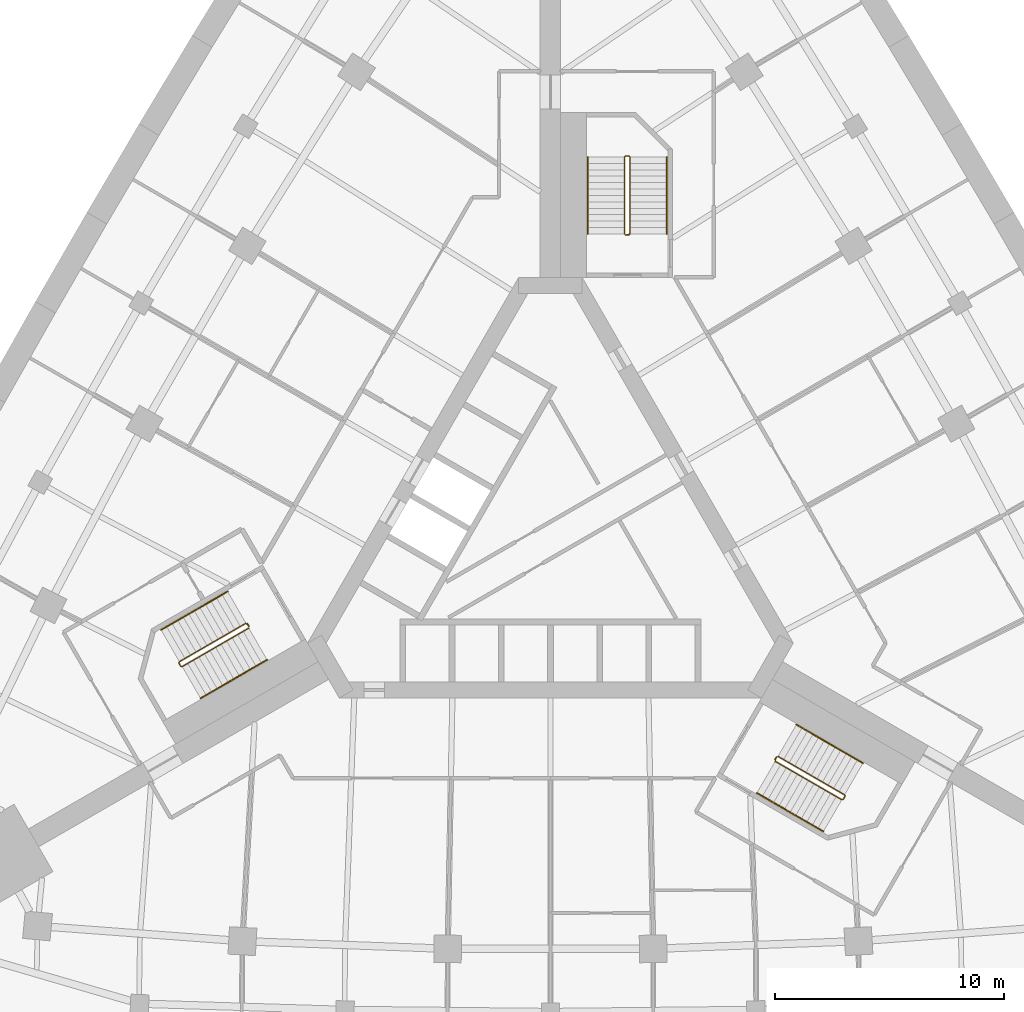
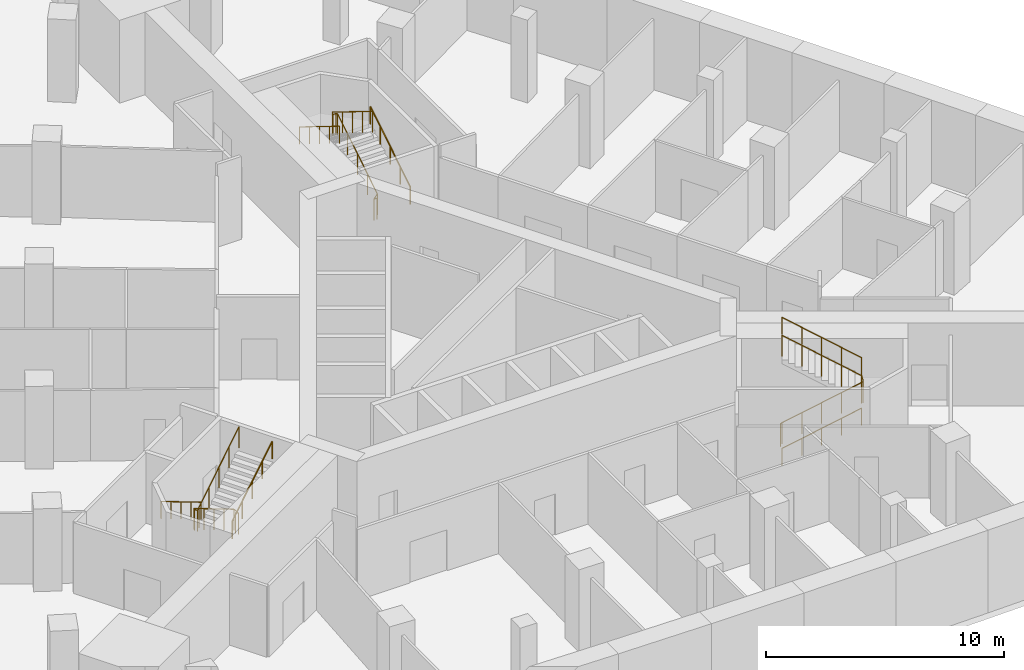
# One storey, part 9 of 9: 9 railings.
"""IFC4 building model written with IfcOpenShell, lengths in metres."""

from ifc_helpers import new_model, si_unit, direction, frame, origin, origin_2d, place, context, subcontext, project, spatial, circle, extrude, material, type_object, element, save


model = new_model("IFC4")

# Units and contexts
model_context = context("Model", 3, precision=1e-05, world=origin(), true_north=direction((0.0, 1.0)))
body_context = subcontext(model_context, "Body", "Model", "MODEL_VIEW")
ifc_project = project(units=[si_unit("LENGTHUNIT", "METRE"), si_unit("AREAUNIT", "SQUARE_METRE"), si_unit("VOLUMEUNIT", "CUBIC_METRE"), si_unit("PLANEANGLEUNIT", "RADIAN"), si_unit("MASSUNIT", "GRAM", prefix="KILO")], contexts=[model_context])

# Site, building, storey
site_placement = place(None, origin())
site = spatial("IfcSite", under=ifc_project, at=site_placement, CompositionType="ELEMENT")
building_placement = place(site_placement, origin())
building = spatial("IfcBuilding", under=site, at=building_placement, Name="Noor Cloister Tower", CompositionType="ELEMENT")
storey_placement = place(building_placement, frame((0.0, 0.0, -4.5)))
storey = spatial("IfcBuildingStorey", under=building, at=storey_placement, Name="B1", CompositionType="ELEMENT", Elevation=-4.5)

# Railings
ifc_material_1 = material(Name="Stainless steel", Category="steel")
railing_type_1 = type_object("IfcRailingType", Name="Stair guard 1100", PredefinedType="GUARDRAIL", material=ifc_material_1)
railing_1_placement = place(storey_placement, frame((3.435546875, 13.306396484375, 0.0)))
element("IfcRailing", 1, at=railing_1_placement, inside=storey, type_object=railing_type_1, Name="Stair guard ST1 B1", PredefinedType="GUARDRAIL", context=body_context, shape_type="SweptSolid", body=[
    extrude(circle(Radius=0.02392578125, at=origin_2d()), frame((0.0, 0.0, 1.076171875), z_axis=(-1.0, 0.0, 0.0), x_axis=(0.0, -1.0, 0.0)), (0.0, 0.0, 1.0), 0.14990234375),
    extrude(circle(Radius=0.02392578125, at=origin_2d()), frame((-0.14990234375, 0.0, 1.076171875), z_axis=(0.742869136974, 0.185944045274, 0.643094283413), x_axis=(-0.242814311512, 0.970072785993, 0.0)), (0.0, 0.0, 1.0), 0.26904296875),
    extrude(circle(Radius=0.02392578125, at=origin_2d()), frame((0.050048828125, 0.050048828125, 1.2490234375), z_axis=(0.0, 0.850606129759, 0.525803396734), x_axis=(-1.0, 0.0, 0.0)), (0.0, 0.0, 1.0), 3.949951171875),
    extrude(circle(Radius=0.02392578125, at=origin_2d()), frame((0.050048828125, 3.409912109375, 3.326171875), z_axis=(-0.707106781187, 0.707106781187, 0.0), x_axis=(-0.707106781187, -0.707106781187, 0.0)), (0.0, 0.0, 1.0), 0.07080078125),
    extrude(circle(Radius=0.02392578125, at=origin_2d()), frame((0.0, 3.4599609375, 3.326171875), z_axis=(-1.0, 0.0, 0.0), x_axis=(0.0, -1.0, 0.0)), (0.0, 0.0, 1.0), 0.14990234375),
    extrude(circle(Radius=0.02392578125, at=origin_2d()), frame((-0.14990234375, 3.4599609375, 3.326171875), z_axis=(-0.267629722418, -0.267629722418, 0.925607186314), x_axis=(0.707106781187, -0.707106781187, 0.0)), (0.0, 0.0, 1.0), 0.18701171875),
    extrude(circle(Radius=0.02392578125, at=origin_2d()), frame((-0.199951171875, 3.409912109375, 3.4990234375), z_axis=(0.0, -0.850606129759, 0.525803396734), x_axis=(1.0, 0.0, 0.0)), (0.0, 0.0, 1.0), 3.949951171875),
    extrude(circle(Radius=0.02099609375, at=origin_2d()), origin(), (0.0, 0.0, 1.0), 1.052001953125),
    extrude(circle(Radius=0.02099609375, at=origin_2d()), frame((-0.14990234375, 0.0, 0.0)), (0.0, 0.0, 1.0), 1.052001953125),
    extrude(circle(Radius=0.02099609375, at=origin_2d()), frame((0.050048828125, 0.050048828125, 0.173095703125)), (0.0, 0.0, 1.0), 1.052001953125),
    extrude(circle(Radius=0.02099609375, at=origin_2d()), frame((0.050048828125, 0.89013671875, 0.6923828125)), (0.0, 0.0, 1.0), 1.052001953125),
    extrude(circle(Radius=0.02099609375, at=origin_2d()), frame((0.050048828125, 1.72998046875, 1.21142578125)), (0.0, 0.0, 1.0), 1.052001953125),
    extrude(circle(Radius=0.02099609375, at=origin_2d()), frame((0.050048828125, 2.56982421875, 1.730712890625)), (0.0, 0.0, 1.0), 1.052001953125),
    extrude(circle(Radius=0.02099609375, at=origin_2d()), frame((0.050048828125, 3.409912109375, 2.25)), (0.0, 0.0, 1.0), 1.052001953125),
    extrude(circle(Radius=0.02099609375, at=origin_2d()), frame((0.0, 3.4599609375, 2.25)), (0.0, 0.0, 1.0), 1.052001953125),
    extrude(circle(Radius=0.02099609375, at=origin_2d()), frame((-0.14990234375, 3.4599609375, 2.25)), (0.0, 0.0, 1.0), 1.052001953125),
    extrude(circle(Radius=0.02099609375, at=origin_2d()), frame((-0.199951171875, 3.409912109375, 2.423095703125)), (0.0, 0.0, 1.0), 1.052001953125),
    extrude(circle(Radius=0.02099609375, at=origin_2d()), frame((-0.199951171875, 2.56982421875, 2.9423828125)), (0.0, 0.0, 1.0), 1.052001953125),
    extrude(circle(Radius=0.02099609375, at=origin_2d()), frame((-0.199951171875, 1.72998046875, 3.46142578125)), (0.0, 0.0, 1.0), 1.052001953125),
    extrude(circle(Radius=0.02099609375, at=origin_2d()), frame((-0.199951171875, 0.89013671875, 3.980712890625)), (0.0, 0.0, 1.0), 1.052001953125),
    extrude(circle(Radius=0.02099609375, at=origin_2d()), frame((-0.199951171875, 0.050048828125, 4.5)), (0.0, 0.0, 1.0), 1.052001953125),
])
railing_2_placement = place(storey_placement, frame((-13.241455078125, -3.677734375, 0.0)))
element("IfcRailing", 2, at=railing_2_placement, inside=storey, type_object=railing_type_1, Name="Stair guard ST2 B1", PredefinedType="GUARDRAIL", context=body_context, shape_type="SweptSolid", body=[
    extrude(circle(Radius=0.02392578125, at=origin_2d()), frame((0.0, 0.0, 1.076171875), z_axis=(0.499112439033, -0.866537231285, 0.0), x_axis=(0.866537231285, 0.499112439033, 0.0)), (0.0, 0.0, 1.0), 0.150146484375),
    extrude(circle(Radius=0.02392578125, at=origin_2d()), frame((0.074951171875, -0.130126953125, 1.076171875), z_axis=(-0.532384093884, 0.550523245294, 0.643032917485), x_axis=(-0.718850276695, -0.695164929852, 0.0)), (0.0, 0.0, 1.0), 0.269287109375),
    extrude(circle(Radius=0.02392578125, at=origin_2d()), frame((-0.068359375, 0.01806640625, 1.2490234375), z_axis=(-0.736667954249, -0.425288379326, 0.525785240943), x_axis=(0.499976138585, -0.866039179741, 0.0)), (0.0, 0.0, 1.0), 3.9501953125),
    extrude(circle(Radius=0.02392578125, at=origin_2d()), frame((-2.978271484375, -1.661865234375, 3.326171875), z_axis=(-0.258736085224, -0.965948051503, 0.0), x_axis=(0.965948051503, -0.258736085224, 0.0)), (0.0, 0.0, 1.0), 0.07080078125),
    extrude(circle(Radius=0.02392578125, at=origin_2d()), frame((-2.99658203125, -1.730224609375, 3.326171875), z_axis=(0.501036270542, -0.865426285481, 0.0), x_axis=(0.865426285481, 0.501036270542, 0.0)), (0.0, 0.0, 1.0), 0.150146484375),
    extrude(circle(Radius=0.02392578125, at=origin_2d()), frame((-2.92138671875, -1.860107421875, 3.326171875), z_axis=(0.364418931161, -0.097962078269, 0.926068179905), x_axis=(0.259601060869, 0.965715946433, 0.0)), (0.0, 0.0, 1.0), 0.18701171875),
    extrude(circle(Radius=0.02392578125, at=origin_2d()), frame((-2.853271484375, -1.87841796875, 3.4990234375), z_axis=(0.736648589954, 0.42533900462, 0.52577141998), x_axis=(-0.500030632641, 0.866007717299, 0.0)), (0.0, 0.0, 1.0), 3.9501953125),
    extrude(circle(Radius=0.02099609375, at=origin_2d()), origin(), (0.0, 0.0, 1.0), 1.052001953125),
    extrude(circle(Radius=0.02099609375, at=origin_2d()), frame((0.074951171875, -0.130126953125, 0.0)), (0.0, 0.0, 1.0), 1.052001953125),
    extrude(circle(Radius=0.02099609375, at=origin_2d()), frame((-0.068359375, 0.01806640625, 0.173095703125)), (0.0, 0.0, 1.0), 1.052001953125),
    extrude(circle(Radius=0.02099609375, at=origin_2d()), frame((-0.7958984375, -0.40185546875, 0.6923828125)), (0.0, 0.0, 1.0), 1.052001953125),
    extrude(circle(Radius=0.02099609375, at=origin_2d()), frame((-1.5234375, -0.82177734375, 1.21142578125)), (0.0, 0.0, 1.0), 1.052001953125),
    extrude(circle(Radius=0.02099609375, at=origin_2d()), frame((-2.250732421875, -1.241943359375, 1.730712890625)), (0.0, 0.0, 1.0), 1.052001953125),
    extrude(circle(Radius=0.02099609375, at=origin_2d()), frame((-2.978271484375, -1.661865234375, 2.25)), (0.0, 0.0, 1.0), 1.052001953125),
    extrude(circle(Radius=0.02099609375, at=origin_2d()), frame((-2.99658203125, -1.730224609375, 2.25)), (0.0, 0.0, 1.0), 1.052001953125),
    extrude(circle(Radius=0.02099609375, at=origin_2d()), frame((-2.92138671875, -1.860107421875, 2.25)), (0.0, 0.0, 1.0), 1.052001953125),
    extrude(circle(Radius=0.02099609375, at=origin_2d()), frame((-2.853271484375, -1.87841796875, 2.423095703125)), (0.0, 0.0, 1.0), 1.052001953125),
    extrude(circle(Radius=0.02099609375, at=origin_2d()), frame((-2.125732421875, -1.45849609375, 2.9423828125)), (0.0, 0.0, 1.0), 1.052001953125),
    extrude(circle(Radius=0.02099609375, at=origin_2d()), frame((-1.3984375, -1.038330078125, 3.46142578125)), (0.0, 0.0, 1.0), 1.052001953125),
    extrude(circle(Radius=0.02099609375, at=origin_2d()), frame((-0.6708984375, -0.6181640625, 3.980712890625)), (0.0, 0.0, 1.0), 1.052001953125),
    extrude(circle(Radius=0.02099609375, at=origin_2d()), frame((0.056640625, -0.1982421875, 4.5)), (0.0, 0.0, 1.0), 1.052001953125),
])
railing_3_placement = place(storey_placement, frame((9.805908203125, -9.628662109375, 0.0)))
element("IfcRailing", 3, at=railing_3_placement, inside=storey, type_object=railing_type_1, Name="Stair guard ST3 B1", PredefinedType="GUARDRAIL", context=body_context, shape_type="SweptSolid", body=[
    extrude(circle(Radius=0.02392578125, at=origin_2d()), frame((0.0, 0.0, 1.076171875), z_axis=(0.499112439033, 0.866537231285, 0.0), x_axis=(-0.866537231285, 0.499112439033, 0.0)), (0.0, 0.0, 1.0), 0.150146484375),
    extrude(circle(Radius=0.02392578125, at=origin_2d()), frame((0.074951171875, 0.130126953125, 1.076171875), z_axis=(-0.210401176497, -0.736404117741, 0.642993250589), x_axis=(0.961523947641, -0.274721127897, 0.0)), (0.0, 0.0, 1.0), 0.269287109375),
    extrude(circle(Radius=0.02392578125, at=origin_2d()), frame((0.018310546875, -0.068115234375, 1.2490234375), z_axis=(0.736648589954, -0.42533900462, 0.52577141998), x_axis=(0.500030632641, 0.866007717299, 0.0)), (0.0, 0.0, 1.0), 3.9501953125),
    extrude(circle(Radius=0.02392578125, at=origin_2d()), frame((2.92822265625, -1.748291015625, 3.326171875), z_axis=(0.965715946433, 0.259601060869, 0.0), x_axis=(-0.259601060869, 0.965715946433, 0.0)), (0.0, 0.0, 1.0), 0.070556640625),
    extrude(circle(Radius=0.02392578125, at=origin_2d()), frame((2.996337890625, -1.72998046875, 3.326171875), z_axis=(0.499816412211, 0.866131372301, 0.0), x_axis=(-0.866131372301, 0.499816412211, 0.0)), (0.0, 0.0, 1.0), 0.14990234375),
    extrude(circle(Radius=0.02392578125, at=origin_2d()), frame((3.0712890625, -1.60009765625, 3.326171875), z_axis=(-0.096622130353, 0.365597249983, 0.925744465136), x_axis=(-0.966805641264, -0.255512919477, 0.0)), (0.0, 0.0, 1.0), 0.18701171875),
    extrude(circle(Radius=0.02392578125, at=origin_2d()), frame((3.05322265625, -1.53173828125, 3.4990234375), z_axis=(-0.736667954249, 0.425288379326, 0.525785240943), x_axis=(-0.499976138585, -0.866039179741, 0.0)), (0.0, 0.0, 1.0), 3.9501953125),
    extrude(circle(Radius=0.02099609375, at=origin_2d()), origin(), (0.0, 0.0, 1.0), 1.052001953125),
    extrude(circle(Radius=0.02099609375, at=origin_2d()), frame((0.074951171875, 0.130126953125, 0.0)), (0.0, 0.0, 1.0), 1.052001953125),
    extrude(circle(Radius=0.02099609375, at=origin_2d()), frame((0.018310546875, -0.068115234375, 0.173095703125)), (0.0, 0.0, 1.0), 1.052001953125),
    extrude(circle(Radius=0.02099609375, at=origin_2d()), frame((0.745849609375, -0.48828125, 0.6923828125)), (0.0, 0.0, 1.0), 1.052001953125),
    extrude(circle(Radius=0.02099609375, at=origin_2d()), frame((1.47314453125, -0.908203125, 1.21142578125)), (0.0, 0.0, 1.0), 1.052001953125),
    extrude(circle(Radius=0.02099609375, at=origin_2d()), frame((2.20068359375, -1.328125, 1.730712890625)), (0.0, 0.0, 1.0), 1.052001953125),
    extrude(circle(Radius=0.02099609375, at=origin_2d()), frame((2.92822265625, -1.748291015625, 2.25)), (0.0, 0.0, 1.0), 1.052001953125),
    extrude(circle(Radius=0.02099609375, at=origin_2d()), frame((2.996337890625, -1.72998046875, 2.25)), (0.0, 0.0, 1.0), 1.052001953125),
    extrude(circle(Radius=0.02099609375, at=origin_2d()), frame((3.0712890625, -1.60009765625, 2.25)), (0.0, 0.0, 1.0), 1.052001953125),
    extrude(circle(Radius=0.02099609375, at=origin_2d()), frame((3.05322265625, -1.53173828125, 2.423095703125)), (0.0, 0.0, 1.0), 1.052001953125),
    extrude(circle(Radius=0.02099609375, at=origin_2d()), frame((2.32568359375, -1.11181640625, 2.9423828125)), (0.0, 0.0, 1.0), 1.052001953125),
    extrude(circle(Radius=0.02099609375, at=origin_2d()), frame((1.59814453125, -0.69189453125, 3.46142578125)), (0.0, 0.0, 1.0), 1.052001953125),
    extrude(circle(Radius=0.02099609375, at=origin_2d()), frame((0.870849609375, -0.271728515625, 3.980712890625)), (0.0, 0.0, 1.0), 1.052001953125),
    extrude(circle(Radius=0.02099609375, at=origin_2d()), frame((0.143310546875, 0.148193359375, 4.5)), (0.0, 0.0, 1.0), 1.052001953125),
])
ifc_material_2 = material(Name="Stainless steel", Category="steel")
railing_type_2 = type_object("IfcRailingType", Name="Stair handrail 900", PredefinedType="HANDRAIL", material=ifc_material_2)
railing_4_placement = place(storey_placement, frame((5.085693359375, 13.3564453125, 0.173095703125)))
element("IfcRailing", 4, at=railing_4_placement, inside=storey, type_object=railing_type_2, Name="Stair handrail ST1 B1 1", PredefinedType="HANDRAIL", context=body_context, shape_type="SweptSolid", body=[
    extrude(circle(Radius=0.02392578125, at=origin_2d()), frame((0.0, 0.0, 0.8759765625), z_axis=(0.0, 0.850606129759, 0.525803396734), x_axis=(-1.0, 0.0, 0.0)), (0.0, 0.0, 1.0), 3.949951171875),
    extrude(circle(Radius=0.02099609375, at=origin_2d()), origin(), (0.0, 0.0, 1.0), 0.851806640625),
    extrude(circle(Radius=0.02099609375, at=origin_2d()), frame((0.0, 0.83984375, 0.519287109375)), (0.0, 0.0, 1.0), 0.851806640625),
    extrude(circle(Radius=0.02099609375, at=origin_2d()), frame((0.0, 1.679931640625, 1.03857421875)), (0.0, 0.0, 1.0), 0.851806640625),
    extrude(circle(Radius=0.02099609375, at=origin_2d()), frame((0.0, 2.52001953125, 1.5576171875)), (0.0, 0.0, 1.0), 0.851806640625),
    extrude(circle(Radius=0.02099609375, at=origin_2d()), frame((0.0, 3.35986328125, 2.076904296875)), (0.0, 0.0, 1.0), 0.851806640625),
])
railing_5_placement = place(storey_placement, frame((1.6357421875, 16.71630859375, 2.423095703125)))
element("IfcRailing", 5, at=railing_5_placement, inside=storey, type_object=railing_type_2, Name="Stair handrail ST1 B1 2", PredefinedType="HANDRAIL", context=body_context, shape_type="SweptSolid", body=[
    extrude(circle(Radius=0.02392578125, at=origin_2d()), frame((0.0, 0.0, 0.8759765625), z_axis=(0.0, -0.850606129759, 0.525803396734), x_axis=(1.0, 0.0, 0.0)), (0.0, 0.0, 1.0), 3.949951171875),
    extrude(circle(Radius=0.02099609375, at=origin_2d()), origin(), (0.0, 0.0, 1.0), 0.851806640625),
    extrude(circle(Radius=0.02099609375, at=origin_2d()), frame((0.0, -0.83984375, 0.519287109375)), (0.0, 0.0, 1.0), 0.851806640625),
    extrude(circle(Radius=0.02099609375, at=origin_2d()), frame((0.0, -1.679931640625, 1.03857421875)), (0.0, 0.0, 1.0), 0.851806640625),
    extrude(circle(Radius=0.02099609375, at=origin_2d()), frame((0.0, -2.52001953125, 1.5576171875)), (0.0, 0.0, 1.0), 0.851806640625),
    extrude(circle(Radius=0.02099609375, at=origin_2d()), frame((0.0, -3.35986328125, 2.076904296875)), (0.0, 0.0, 1.0), 0.851806640625),
])
railing_6_placement = place(storey_placement, frame((-14.10986328125, -2.27392578125, 0.173095703125)))
element("IfcRailing", 6, at=railing_6_placement, inside=storey, type_object=railing_type_2, Name="Stair handrail ST2 B1 1", PredefinedType="HANDRAIL", context=body_context, shape_type="SweptSolid", body=[
    extrude(circle(Radius=0.02392578125, at=origin_2d()), frame((0.0, 0.0, 0.8759765625), z_axis=(-0.736639687092, -0.425307743487, 0.525809180911), x_axis=(0.500007602105, -0.866021014662, 0.0)), (0.0, 0.0, 1.0), 3.949951171875),
    extrude(circle(Radius=0.02099609375, at=origin_2d()), origin(), (0.0, 0.0, 1.0), 0.851806640625),
    extrude(circle(Radius=0.02099609375, at=origin_2d()), frame((-0.7275390625, -0.419921875, 0.519287109375)), (0.0, 0.0, 1.0), 0.851806640625),
    extrude(circle(Radius=0.02099609375, at=origin_2d()), frame((-1.454833984375, -0.83984375, 1.03857421875)), (0.0, 0.0, 1.0), 0.851806640625),
    extrude(circle(Radius=0.02099609375, at=origin_2d()), frame((-2.18212890625, -1.260009765625, 1.5576171875)), (0.0, 0.0, 1.0), 0.851806640625),
    extrude(circle(Radius=0.02099609375, at=origin_2d()), frame((-2.90966796875, -1.679931640625, 2.076904296875)), (0.0, 0.0, 1.0), 0.851806640625),
])
railing_7_placement = place(storey_placement, frame((-15.294677734375, -6.941650390625, 2.423095703125)))
element("IfcRailing", 7, at=railing_7_placement, inside=storey, type_object=railing_type_2, Name="Stair handrail ST2 B1 2", PredefinedType="HANDRAIL", context=body_context, shape_type="SweptSolid", body=[
    extrude(circle(Radius=0.02392578125, at=origin_2d()), frame((0.0, 0.0, 0.8759765625), z_axis=(0.736667954249, 0.425288379326, 0.525785240943), x_axis=(-0.499976138585, 0.866039179741, 0.0)), (0.0, 0.0, 1.0), 3.9501953125),
    extrude(circle(Radius=0.02099609375, at=origin_2d()), origin(), (0.0, 0.0, 1.0), 0.851806640625),
    extrude(circle(Radius=0.02099609375, at=origin_2d()), frame((0.7275390625, 0.419921875, 0.519287109375)), (0.0, 0.0, 1.0), 0.851806640625),
    extrude(circle(Radius=0.02099609375, at=origin_2d()), frame((1.455078125, 0.83984375, 1.03857421875)), (0.0, 0.0, 1.0), 0.851806640625),
    extrude(circle(Radius=0.02099609375, at=origin_2d()), frame((2.182373046875, 1.260009765625, 1.5576171875)), (0.0, 0.0, 1.0), 0.851806640625),
    extrude(circle(Radius=0.02099609375, at=origin_2d()), frame((2.909912109375, 1.679931640625, 2.076904296875)), (0.0, 0.0, 1.0), 0.851806640625),
])
railing_8_placement = place(storey_placement, frame((9.024169921875, -11.08251953125, 0.173095703125)))
element("IfcRailing", 8, at=railing_8_placement, inside=storey, type_object=railing_type_2, Name="Stair handrail ST3 B1 1", PredefinedType="HANDRAIL", context=body_context, shape_type="SweptSolid", body=[
    extrude(circle(Radius=0.02392578125, at=origin_2d()), frame((0.0, 0.0, 0.8759765625), z_axis=(0.736667954249, -0.425288379326, 0.525785240943), x_axis=(0.499976138585, 0.866039179741, 0.0)), (0.0, 0.0, 1.0), 3.9501953125),
    extrude(circle(Radius=0.02099609375, at=origin_2d()), origin(), (0.0, 0.0, 1.0), 0.851806640625),
    extrude(circle(Radius=0.02099609375, at=origin_2d()), frame((0.7275390625, -0.419921875, 0.519287109375)), (0.0, 0.0, 1.0), 0.851806640625),
    extrude(circle(Radius=0.02099609375, at=origin_2d()), frame((1.455078125, -0.83984375, 1.03857421875)), (0.0, 0.0, 1.0), 0.851806640625),
    extrude(circle(Radius=0.02099609375, at=origin_2d()), frame((2.182373046875, -1.260009765625, 1.5576171875)), (0.0, 0.0, 1.0), 0.851806640625),
    extrude(circle(Radius=0.02099609375, at=origin_2d()), frame((2.909912109375, -1.679931640625, 2.076904296875)), (0.0, 0.0, 1.0), 0.851806640625),
])
railing_9_placement = place(storey_placement, frame((13.658935546875, -9.774658203125, 2.423095703125)))
element("IfcRailing", 9, at=railing_9_placement, inside=storey, type_object=railing_type_2, Name="Stair handrail ST3 B1 2", PredefinedType="HANDRAIL", context=body_context, shape_type="SweptSolid", body=[
    extrude(circle(Radius=0.02392578125, at=origin_2d()), frame((0.0, 0.0, 0.8759765625), z_axis=(-0.736639687092, 0.425307743487, 0.525809180911), x_axis=(-0.500007602105, -0.866021014662, 0.0)), (0.0, 0.0, 1.0), 3.949951171875),
    extrude(circle(Radius=0.02099609375, at=origin_2d()), origin(), (0.0, 0.0, 1.0), 0.851806640625),
    extrude(circle(Radius=0.02099609375, at=origin_2d()), frame((-0.7275390625, 0.419921875, 0.519287109375)), (0.0, 0.0, 1.0), 0.851806640625),
    extrude(circle(Radius=0.02099609375, at=origin_2d()), frame((-1.454833984375, 0.83984375, 1.03857421875)), (0.0, 0.0, 1.0), 0.851806640625),
    extrude(circle(Radius=0.02099609375, at=origin_2d()), frame((-2.18212890625, 1.260009765625, 1.5576171875)), (0.0, 0.0, 1.0), 0.851806640625),
    extrude(circle(Radius=0.02099609375, at=origin_2d()), frame((-2.90966796875, 1.679931640625, 2.076904296875)), (0.0, 0.0, 1.0), 0.851806640625),
])

save(model, "model.ifc")
